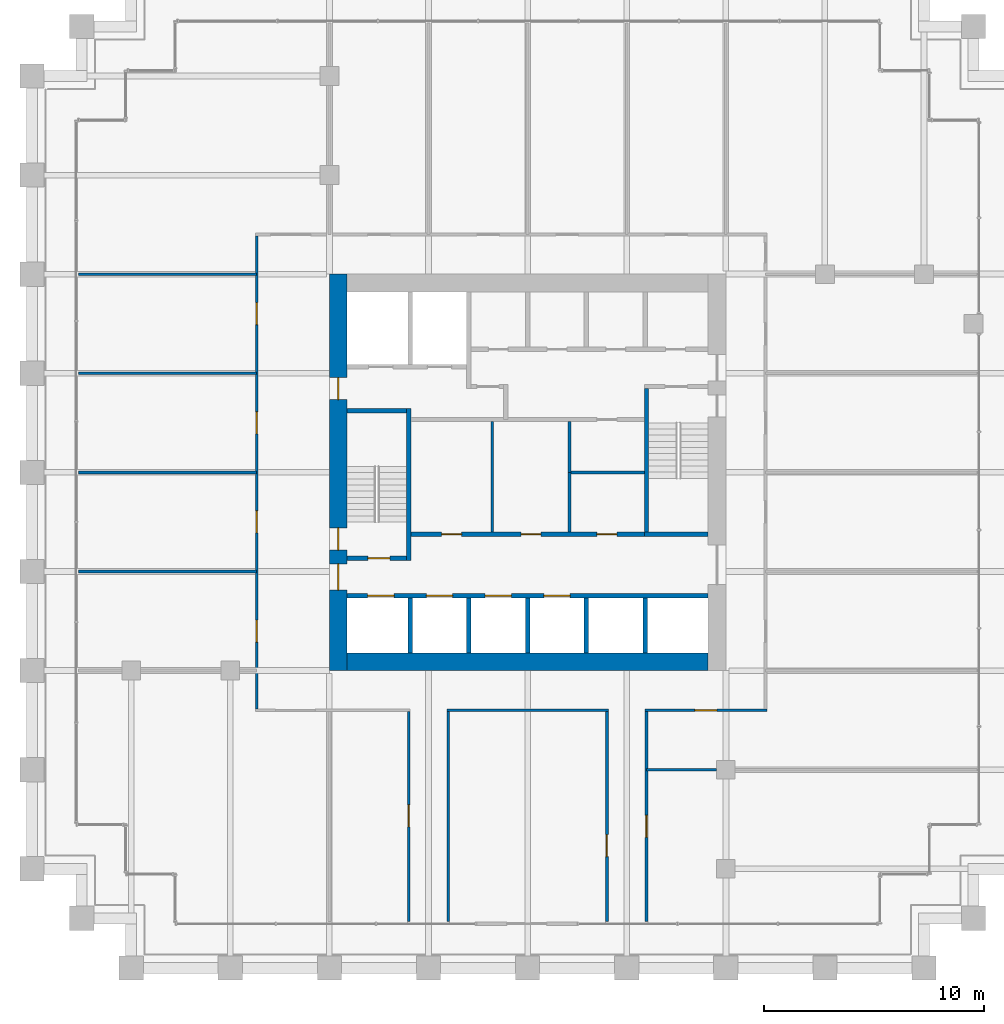
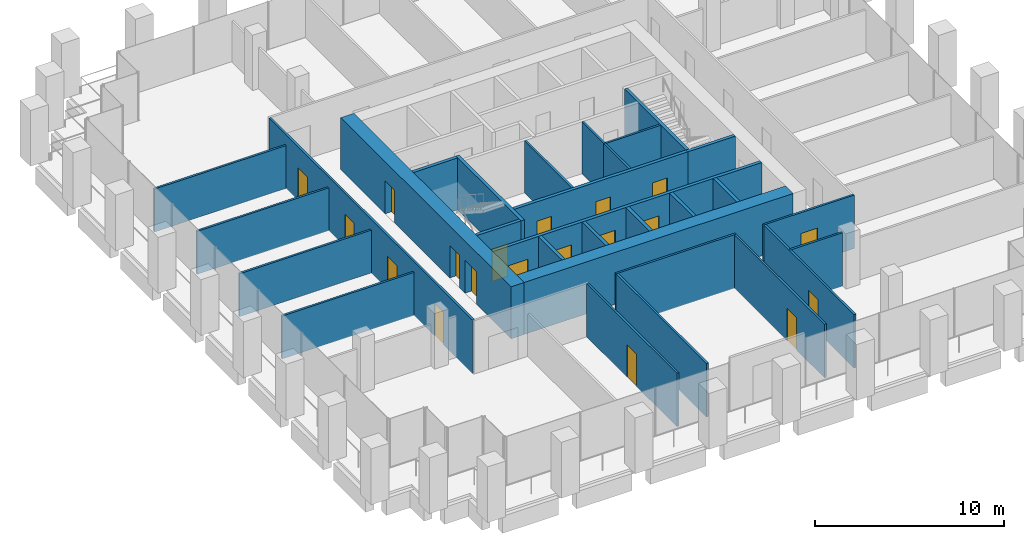
# One storey, part 50 of 56: 30 walls, 19 doors, 19 openings.
"""IFC4 building model written with IfcOpenShell, lengths in metres."""

import ifcopenshell
import ifcopenshell.guid

model = None  # the IFC model being written
_history = None  # IfcOwnerHistory: only IFC2X3 demands one
_inside = {}  # id of a spatial element -> (the spatial element, [elements in it])
_under = {}  # id of a project, library or spatial element -> (it, [spatial elements below it])
_declared = {}  # id of a project -> (the project, [libraries it declares])
_typed = {}  # id of a type object -> (the type object, [elements of that type])
_made_of = {}  # id of a material, layer set ... -> (it, [elements and type objects made of it])


def new_model(schema):
    """Start an empty IFC model of exactly this schema.

    Asked for "IFC4X3", IfcOpenShell would pick the latest addendum, in which some entities
    have other attributes; the version numbers below select the first issue.
    IFC2X3 requires an IfcOwnerHistory on every rooted entity: one is made here for all.
    """
    global model, _history
    if schema == "IFC4X3":
        model = ifcopenshell.file(schema_version=(4, 3, 0, 0))
    else:
        model = ifcopenshell.file(schema=schema)
    _inside.clear()
    _under.clear()
    _declared.clear()
    _typed.clear()
    _made_of.clear()
    _history = None
    if model.schema == "IFC2X3":
        org = make("IfcOrganization", Name="unknown")
        user = make(
            "IfcPersonAndOrganization",
            ThePerson=make("IfcPerson", FamilyName="unknown"),
            TheOrganization=org,
        )
        app = make(
            "IfcApplication",
            ApplicationDeveloper=org,
            Version="unknown",
            ApplicationFullName="unknown",
            ApplicationIdentifier="unknown",
        )
        _history = make(
            "IfcOwnerHistory",
            OwningUser=user,
            OwningApplication=app,
            ChangeAction="ADDED",
            CreationDate=0,
        )
    return model


def make(cls, **values):
    """One entity of the class cls with the attributes given. An attribute that is None is left unset."""
    return model.create_entity(
        cls, **{name: value for name, value in values.items() if value is not None}
    )


def rooted(cls, **values):
    """An entity with a GlobalId (a new one), such as an element, a storey or a relation."""
    return make(cls, GlobalId=ifcopenshell.guid.new(), OwnerHistory=_history, **values)


def si_unit(unit_type, name, prefix=None):
    """IfcSIUnit, for example si_unit("LENGTHUNIT", "METRE", prefix="MILLI")."""
    return make("IfcSIUnit", UnitType=unit_type, Prefix=prefix, Name=name)


def assignment(units):
    """IfcUnitAssignment: the units of a project."""
    return None if units is None else make("IfcUnitAssignment", Units=units)


def point(xyz):
    """IfcCartesianPoint."""
    return None if xyz is None else make("IfcCartesianPoint", Coordinates=xyz)


def direction(xyz):
    """IfcDirection."""
    return None if xyz is None else make("IfcDirection", DirectionRatios=xyz)


def frame(location, z_axis=None, x_axis=None):
    """IfcAxis2Placement3D, a coordinate frame: its origin and axes. An axis left out is left unset."""
    return make(
        "IfcAxis2Placement3D",
        Location=point(location),
        Axis=direction(z_axis),
        RefDirection=direction(x_axis),
    )


def frame_2d(location, x_axis=None):
    """IfcAxis2Placement2D, a coordinate frame in the plane: its origin and x axis."""
    return make(
        "IfcAxis2Placement2D", Location=point(location), RefDirection=direction(x_axis)
    )


def origin():
    """The frame at (0, 0, 0) with its axes left unset."""
    return frame((0.0, 0.0, 0.0))


def place(relative_to, where):
    """IfcLocalPlacement: puts the frame where relative to a parent placement (None: the world)."""
    return make(
        "IfcLocalPlacement", PlacementRelTo=relative_to, RelativePlacement=where
    )


def context(
    kind, dimensions, precision=None, world=None, true_north=None, identifier=None
):
    """IfcGeometricRepresentationContext, for example the 3D "Model" context."""
    return make(
        "IfcGeometricRepresentationContext",
        ContextIdentifier=identifier,
        ContextType=kind,
        CoordinateSpaceDimension=dimensions,
        Precision=precision,
        WorldCoordinateSystem=world,
        TrueNorth=true_north,
    )


def subcontext(parent, identifier, kind, view, scale=None):
    """IfcGeometricRepresentationSubContext, for example "Body" below "Model"."""
    return make(
        "IfcGeometricRepresentationSubContext",
        ContextIdentifier=identifier,
        ContextType=kind,
        ParentContext=parent,
        TargetScale=scale,
        TargetView=view,
    )


def project(units=None, contexts=None):
    """IfcProject with its units and contexts."""
    return rooted(
        "IfcProject",
        Name="project",
        RepresentationContexts=contexts,
        UnitsInContext=assignment(units),
    )


def spatial(cls, under=None, at=None, **own):
    """A site, building, storey or space (cls), placed at a placement, below another one or the project."""
    s = rooted(cls, ObjectPlacement=at, **own)
    if under is not None:
        _under.setdefault(under.id(), (under, []))[1].append(s)
    return s


def profile(cls, at=None, kind="AREA", **sizes):
    """A parametric profile (cls). Its sizes go by their IFC names, for example OverallWidth=200.0."""
    return make(cls, ProfileType=kind, Position=at, **sizes)


def rectangle(**sizes):
    """IfcRectangleProfileDef."""
    return profile("IfcRectangleProfileDef", **sizes)


def extrude(swept, where, along, depth):
    """IfcExtrudedAreaSolid: the profile swept, set in the frame where, extruded along a direction by depth."""
    return make(
        "IfcExtrudedAreaSolid",
        SweptArea=swept,
        Position=where,
        ExtrudedDirection=direction(along),
        Depth=depth,
    )


def shape(context_of_items, identifier, shape_type, items):
    """IfcShapeRepresentation: the items that make up one representation, for example the "Body"."""
    return make(
        "IfcShapeRepresentation",
        ContextOfItems=context_of_items,
        RepresentationIdentifier=identifier,
        RepresentationType=shape_type,
        Items=items,
    )


def material(Name=None, Category=None):
    """IfcMaterial."""
    return make("IfcMaterial", Name=Name, Category=Category)


def layer(
    of_material, thickness, ventilated=None, Name=None, Category=None, Priority=None
):
    """IfcMaterialLayer: one layer of a wall or slab, of a material (None: an air gap)."""
    return make(
        "IfcMaterialLayer",
        Material=of_material,
        LayerThickness=thickness,
        IsVentilated=ventilated,
        Name=Name,
        Category=Category,
        Priority=Priority,
    )


def layer_set(layers, Name=None):
    """IfcMaterialLayerSet."""
    return make("IfcMaterialLayerSet", MaterialLayers=layers, LayerSetName=Name)


def made_of(thing, what):
    """Note that an element or type object is made of a material, layer set ...; save() writes the relation."""
    if what is not None:
        _made_of.setdefault(what.id(), (what, []))[1].append(thing)
    return thing


def type_object(cls, material=None, **own):
    """A type object (cls), such as IfcWallType, which elements share."""
    return made_of(rooted(cls, **own), material)


def element(
    cls,
    number,
    at=None,
    inside=None,
    cuts=None,
    type_object=None,
    material=None,
    context=None,
    identifier="Body",
    shape_type=None,
    held_by="IfcProductDefinitionShape",
    body=None,
    shapes=None,
    **own,
):
    """One element of the class cls, such as IfcWall. Its Tag is "e" and its number.

    at: its placement. inside: the storey or other place that contains it. cuts: it is an
    opening in that element (IfcRelVoidsElement). A single representation is given by context,
    identifier, shape_type and body (its items); several are given by shapes. held_by: the class
    of the entity that holds the representations. save() writes the other relations.
    """
    e = rooted(cls, Tag="e%d" % number, ObjectPlacement=at, **own)
    if body is not None:
        shapes = [shape(context, identifier, shape_type, body)]
    if shapes is not None:
        e.Representation = make(held_by, Representations=shapes)
    if inside is not None:
        _inside.setdefault(inside.id(), (inside, []))[1].append(e)
    if cuts is not None:
        rooted(
            "IfcRelVoidsElement", RelatingBuildingElement=cuts, RelatedOpeningElement=e
        )
    if type_object is not None:
        _typed.setdefault(type_object.id(), (type_object, []))[1].append(e)
    return made_of(e, material)


def fill(opening, filler):
    """IfcRelFillsElement: the door or window that sits in an opening."""
    return rooted(
        "IfcRelFillsElement",
        RelatingOpeningElement=opening,
        RelatedBuildingElement=filler,
    )


def aggregate(whole, parts):
    """IfcRelAggregates: a whole, such as a stair, and the parts it consists of."""
    return rooted("IfcRelAggregates", RelatingObject=whole, RelatedObjects=parts)


def save(model, path):
    """Write the relations noted so far, then the file.

    IfcRelAggregates (storeys below a building ...), IfcRelContainedInSpatialStructure (elements
    in a storey), IfcRelDefinesByType, IfcRelAssociatesMaterial and IfcRelDeclares: one each for
    every whole, place, type object, material and project.
    """
    for whole, parts in _under.values():
        aggregate(whole, parts)
    for where, things in _inside.values():
        rooted(
            "IfcRelContainedInSpatialStructure",
            RelatedElements=things,
            RelatingStructure=where,
        )
    for kind, things in _typed.values():
        rooted("IfcRelDefinesByType", RelatedObjects=things, RelatingType=kind)
    for what, things in _made_of.values():
        rooted("IfcRelAssociatesMaterial", RelatedObjects=things, RelatingMaterial=what)
    for by, libraries in _declared.values():
        rooted("IfcRelDeclares", RelatingContext=by, RelatedDefinitions=libraries)
    model.write(path)


model = new_model("IFC4")

# Units and contexts
model_context = context("Model", 3, precision=1e-05, world=origin(), true_north=direction((0.0, 1.0)))
body_context = subcontext(model_context, "Body", "Model", "MODEL_VIEW")
ifc_project = project(units=[si_unit("LENGTHUNIT", "METRE"), si_unit("AREAUNIT", "SQUARE_METRE"), si_unit("VOLUMEUNIT", "CUBIC_METRE"), si_unit("PLANEANGLEUNIT", "RADIAN"), si_unit("MASSUNIT", "GRAM", prefix="KILO")], contexts=[model_context])

# Site, building, storey
site_placement = place(None, origin())
site = spatial("IfcSite", under=ifc_project, at=site_placement, CompositionType="ELEMENT")
building_placement = place(site_placement, origin())
building = spatial("IfcBuilding", under=site, at=building_placement, Name="Altepetl Exchange Towers", CompositionType="ELEMENT")
storey_placement = place(building_placement, frame((0.0, 0.0, 72.60009765625)))
storey = spatial("IfcBuildingStorey", under=building, at=storey_placement, Name="L17", CompositionType="ELEMENT", Elevation=72.60009765625)

# Wall
ifc_material_1 = material(Name="Concrete C70/85", Category="concrete")
ifc_layer_1 = layer(ifc_material_1, 0.800048828125)
ifc_layer_set_1 = layer_set([ifc_layer_1], Name="Concrete C70/85")
wall_type_1 = type_object("IfcWallType", Name="Core wall 800 reinforced concrete", PredefinedType="SHEAR", material=ifc_layer_set_1)
wall_1_placement = place(storey_placement, frame((41.300048828125, 40.89990234375, 0.0)))
element("IfcWall", 1, at=wall_1_placement, inside=storey, type_object=wall_type_1, Name="wall:A:L17:K-coreS", PredefinedType="SHEAR", context=body_context, shape_type="SweptSolid", body=[
    extrude(rectangle(XDim=16.39990234375, YDim=0.800048828125, at=frame_2d((8.199951171875, 0.0))), origin(), (0.0, 0.0, 1.0), 3.349853515625),
])

# Wall, openings, doors
wall_2_placement = place(storey_placement, frame((40.89990234375, 40.5, 0.0), z_axis=(0.0, 0.0, 1.0), x_axis=(0.0, 1.0, 0.0)))
wall_2 = element("IfcWall", 2, at=wall_2_placement, inside=storey, type_object=wall_type_1, Name="wall:A:L17:K-coreW", PredefinedType="SHEAR", context=body_context, shape_type="SweptSolid", body=[
    extrude(rectangle(XDim=18.0, YDim=0.800048828125, at=frame_2d((9.0, 0.0))), origin(), (0.0, 0.0, 1.0), 3.349853515625),
])
opening_1_placement = place(wall_2_placement, frame((3.64990234375, 0.0, 0.0)))
opening_1 = element("IfcOpeningElement", 3, at=opening_1_placement, cuts=wall_2, Name="Opening L17.A62", PredefinedType="OPENING", context=body_context, shape_type="SweptSolid", body=[
    extrude(rectangle(XDim=1.199951171875, YDim=2.10009765625, at=frame_2d((0.60009765625, 1.050048828125))), frame((0.0, 0.41015625, 0.0), z_axis=(0.0, -1.0, 0.0), x_axis=(1.0, 0.0, 0.0)), (0.0, 0.0, 1.0), 0.820068359375),
])
opening_2_placement = place(wall_2_placement, frame((5.47509765625, 0.0, 0.0)))
opening_2 = element("IfcOpeningElement", 4, at=opening_2_placement, cuts=wall_2, Name="Opening L17.A64", PredefinedType="OPENING", context=body_context, shape_type="SweptSolid", body=[
    extrude(rectangle(XDim=1.0, YDim=2.10009765625, at=frame_2d((0.5, 1.050048828125))), frame((0.0, 0.41015625, 0.0), z_axis=(0.0, -1.0, 0.0), x_axis=(1.0, 0.0, 0.0)), (0.0, 0.0, 1.0), 0.820068359375),
])
opening_3_placement = place(wall_2_placement, frame((12.300048828125, 0.0, 0.0)))
opening_3 = element("IfcOpeningElement", 5, at=opening_3_placement, cuts=wall_2, Name="Opening L17.A68", PredefinedType="OPENING", context=body_context, shape_type="SweptSolid", body=[
    extrude(rectangle(XDim=1.0, YDim=2.10009765625, at=frame_2d((0.5, 1.050048828125))), frame((0.0, 0.41015625, 0.0), z_axis=(0.0, -1.0, 0.0), x_axis=(1.0, 0.0, 0.0)), (0.0, 0.0, 1.0), 0.820068359375),
])
ifc_material_2 = material(Name="Steel and timber fire door", Category="steel")
door_type_1 = type_object("IfcDoorType", Name="Fire door 1000 x 2100 stair and lobby", OperationType="SINGLE_SWING_LEFT", PredefinedType="DOOR", material=ifc_material_2)
door_1_placement = place(opening_2_placement, frame((1.0, 0.0, 0.0), x_axis=(-1.0, 0.0, 0.0)))
door_1 = element("IfcDoor", 6, at=door_1_placement, inside=storey, type_object=door_type_1, Name="door:A:L17:K-dS1x", OperationType="SINGLE_SWING_RIGHT", OverallHeight=2.10009765625, OverallWidth=1.0, PredefinedType="DOOR", context=body_context, shape_type="SweptSolid", body=[
    extrude(rectangle(XDim=1.0, YDim=2.10009765625, at=frame_2d((0.5, 1.050048828125))), frame((0.0, 0.02490234375, 0.0), z_axis=(0.0, -1.0, 0.0), x_axis=(1.0, 0.0, 0.0)), (0.0, 0.0, 1.0), 0.050048828125),
])
fill(opening_2, door_1)
door_2_placement = place(opening_3_placement, frame((1.0, 0.0, 0.0), x_axis=(-1.0, 0.0, 0.0)))
door_2 = element("IfcDoor", 7, at=door_2_placement, inside=storey, type_object=door_type_1, Name="door:A:L17:K-dffW", OperationType="SINGLE_SWING_LEFT", OverallHeight=2.10009765625, OverallWidth=1.0, PredefinedType="DOOR", context=body_context, shape_type="SweptSolid", body=[
    extrude(rectangle(XDim=1.0, YDim=2.10009765625, at=frame_2d((0.5, 1.050048828125))), frame((0.0, 0.02490234375, 0.0), z_axis=(0.0, -1.0, 0.0), x_axis=(1.0, 0.0, 0.0)), (0.0, 0.0, 1.0), 0.050048828125),
])
fill(opening_3, door_2)
door_type_2 = type_object("IfcDoorType", Name="Fire door 1200 x 2100 lobby entry", OperationType="SINGLE_SWING_LEFT", PredefinedType="DOOR", material=ifc_material_2)
door_3_placement = place(opening_1_placement, frame((1.199951171875, 0.0, 0.0), x_axis=(-1.0, 0.0, 0.0)))
door_3 = element("IfcDoor", 8, at=door_3_placement, inside=storey, type_object=door_type_2, Name="door:A:L17:K-dLSW", OperationType="SINGLE_SWING_LEFT", OverallHeight=2.10009765625, OverallWidth=1.199951171875, PredefinedType="DOOR", context=body_context, shape_type="SweptSolid", body=[
    extrude(rectangle(XDim=1.199951171875, YDim=2.10009765625, at=frame_2d((0.60009765625, 1.050048828125))), frame((0.0, 0.02490234375, 0.0), z_axis=(0.0, -1.0, 0.0), x_axis=(1.0, 0.0, 0.0)), (0.0, 0.0, 1.0), 0.050048828125),
])
fill(opening_1, door_3)

ifc_material_3 = material(Name="Concrete blockwork", Category="masonry")
ifc_layer_2 = layer(ifc_material_3, 0.199951171875)
ifc_layer_set_2 = layer_set([ifc_layer_2], Name="Concrete blockwork")
wall_type_2 = type_object("IfcWallType", Name="Lobby wall 200 blockwork", PredefinedType="PARTITIONING", material=ifc_layer_set_2)
wall_3_placement = place(storey_placement, frame((44.199951171875, 46.699951171875, 0.0)))
wall_3 = element("IfcWall", 9, at=wall_3_placement, inside=storey, type_object=wall_type_2, Name="wall:A:L17:K-zoneS", PredefinedType="PARTITIONING", context=body_context, shape_type="SweptSolid", body=[
    extrude(rectangle(XDim=10.60009765625, YDim=0.199951171875, at=frame_2d((5.300048828125, 0.0))), origin(), (0.0, 0.0, 1.0), 3.349853515625),
])
opening_4_placement = place(wall_3_placement, frame((1.39990234375, 0.0, 0.0)))
opening_4 = element("IfcOpeningElement", 10, at=opening_4_placement, cuts=wall_3, Name="Opening L17.A73", PredefinedType="OPENING", context=body_context, shape_type="SweptSolid", body=[
    extrude(rectangle(XDim=0.89990234375, YDim=2.10009765625, at=frame_2d((0.449951171875, 1.050048828125))), frame((0.0, 0.10986328125, 0.0), z_axis=(0.0, -1.0, 0.0), x_axis=(1.0, 0.0, 0.0)), (0.0, 0.0, 1.0), 0.219970703125),
])
opening_5_placement = place(wall_3_placement, frame((5.0, 0.0, 0.0)))
opening_5 = element("IfcOpeningElement", 11, at=opening_5_placement, cuts=wall_3, Name="Opening L17.A74", PredefinedType="OPENING", context=body_context, shape_type="SweptSolid", body=[
    extrude(rectangle(XDim=0.89990234375, YDim=2.10009765625, at=frame_2d((0.449951171875, 1.050048828125))), frame((0.0, 0.10986328125, 0.0), z_axis=(0.0, -1.0, 0.0), x_axis=(1.0, 0.0, 0.0)), (0.0, 0.0, 1.0), 0.219970703125),
])
opening_6_placement = place(wall_3_placement, frame((8.449951171875, 0.0, 0.0)))
opening_6 = element("IfcOpeningElement", 12, at=opening_6_placement, cuts=wall_3, Name="Opening L17.A75", PredefinedType="OPENING", context=body_context, shape_type="SweptSolid", body=[
    extrude(rectangle(XDim=0.89990234375, YDim=2.10009765625, at=frame_2d((0.449951171875, 1.050048828125))), frame((0.0, 0.10986328125, 0.0), z_axis=(0.0, -1.0, 0.0), x_axis=(1.0, 0.0, 0.0)), (0.0, 0.0, 1.0), 0.219970703125),
])
door_type_3 = type_object("IfcDoorType", Name="Fire door 900 x 2100 service room", OperationType="SINGLE_SWING_LEFT", PredefinedType="DOOR", material=ifc_material_2)
door_4_placement = place(opening_4_placement, origin())
door_4 = element("IfcDoor", 13, at=door_4_placement, inside=storey, type_object=door_type_3, Name="door:A:L17:K-dz1", OperationType="SINGLE_SWING_LEFT", OverallHeight=2.10009765625, OverallWidth=0.89990234375, PredefinedType="DOOR", context=body_context, shape_type="SweptSolid", body=[
    extrude(rectangle(XDim=0.89990234375, YDim=2.10009765625, at=frame_2d((0.449951171875, 1.050048828125))), frame((0.0, 0.02490234375, 0.0), z_axis=(0.0, -1.0, 0.0), x_axis=(1.0, 0.0, 0.0)), (0.0, 0.0, 1.0), 0.050048828125),
])
fill(opening_4, door_4)
door_5_placement = place(opening_5_placement, origin())
door_5 = element("IfcDoor", 14, at=door_5_placement, inside=storey, type_object=door_type_3, Name="door:A:L17:K-dz2", OperationType="SINGLE_SWING_RIGHT", OverallHeight=2.10009765625, OverallWidth=0.89990234375, PredefinedType="DOOR", context=body_context, shape_type="SweptSolid", body=[
    extrude(rectangle(XDim=0.89990234375, YDim=2.10009765625, at=frame_2d((0.449951171875, 1.050048828125))), frame((0.0, 0.02490234375, 0.0), z_axis=(0.0, -1.0, 0.0), x_axis=(1.0, 0.0, 0.0)), (0.0, 0.0, 1.0), 0.050048828125),
])
fill(opening_5, door_5)
door_6_placement = place(opening_6_placement, origin())
door_6 = element("IfcDoor", 15, at=door_6_placement, inside=storey, type_object=door_type_3, Name="door:A:L17:K-dz3", OperationType="SINGLE_SWING_RIGHT", OverallHeight=2.10009765625, OverallWidth=0.89990234375, PredefinedType="DOOR", context=body_context, shape_type="SweptSolid", body=[
    extrude(rectangle(XDim=0.89990234375, YDim=2.10009765625, at=frame_2d((0.449951171875, 1.050048828125))), frame((0.0, 0.02490234375, 0.0), z_axis=(0.0, -1.0, 0.0), x_axis=(1.0, 0.0, 0.0)), (0.0, 0.0, 1.0), 0.050048828125),
])
fill(opening_6, door_6)

# Walls
ifc_material_4 = material(Name="Gypsum board on steel studs", Category="steel")
ifc_layer_3 = layer(ifc_material_4, 0.125)
ifc_layer_set_3 = layer_set([ifc_layer_3], Name="Gypsum board on steel studs")
wall_type_3 = type_object("IfcWallType", Name="Partition 125 gypsum board on steel studs", PredefinedType="PARTITIONING", material=ifc_layer_set_3)
wall_4_placement = place(storey_placement, frame((47.89990234375, 46.800048828125, 0.0), z_axis=(0.0, 0.0, 1.0), x_axis=(0.0, 1.0, 0.0)))
element("IfcWall", 16, at=wall_4_placement, inside=storey, type_object=wall_type_3, Name="wall:A:L17:K-zp1", PredefinedType="PARTITIONING", context=body_context, shape_type="SweptSolid", body=[
    extrude(rectangle(XDim=5.0, YDim=0.125, at=frame_2d((2.5, 0.0))), origin(), (0.0, 0.0, 1.0), 3.349853515625),
])
wall_5_placement = place(storey_placement, frame((51.39990234375, 46.800048828125, 0.0), z_axis=(0.0, 0.0, 1.0), x_axis=(0.0, 1.0, 0.0)))
element("IfcWall", 17, at=wall_5_placement, inside=storey, type_object=wall_type_3, Name="wall:A:L17:K-zp2", PredefinedType="PARTITIONING", context=body_context, shape_type="SweptSolid", body=[
    extrude(rectangle(XDim=2.762451171875, YDim=0.125, at=frame_2d((1.38134765625, 0.0))), origin(), (0.0, 0.0, 1.0), 3.349853515625),
])
wall_6_placement = place(storey_placement, frame((54.800048828125, 49.5, 0.0), z_axis=(0.0, 0.0, 1.0), x_axis=(-1.0, 0.0, 0.0)))
element("IfcWall", 18, at=wall_6_placement, inside=storey, type_object=wall_type_3, Name="wall:A:L17:K-zp3", PredefinedType="PARTITIONING", context=body_context, shape_type="SweptSolid", body=[
    extrude(rectangle(XDim=3.337646484375, YDim=0.125, at=frame_2d((1.6689453125, 0.0))), origin(), (0.0, 0.0, 1.0), 3.349853515625),
])
wall_7_placement = place(storey_placement, frame((51.39990234375, 49.5, 0.0), z_axis=(0.0, 0.0, 1.0), x_axis=(0.0, 1.0, 0.0)))
element("IfcWall", 19, at=wall_7_placement, inside=storey, type_object=wall_type_3, Name="wall:A:L17:K-zp4", PredefinedType="PARTITIONING", context=body_context, shape_type="SweptSolid", body=[
    extrude(rectangle(XDim=2.300048828125, YDim=0.125, at=frame_2d((1.14990234375, 0.0))), origin(), (0.0, 0.0, 1.0), 3.349853515625),
])
wall_8_placement = place(storey_placement, frame((54.89990234375, 36.0, 0.0)))
element("IfcWall", 20, at=wall_8_placement, inside=storey, type_object=wall_type_3, Name="wall:A:L17:P01", PredefinedType="PARTITIONING", context=body_context, shape_type="SweptSolid", body=[
    extrude(rectangle(XDim=3.175048828125, YDim=0.125, at=frame_2d((1.58740234375, 0.0))), origin(), (0.0, 0.0, 1.0), 3.449951171875),
])
wall_9_placement = place(storey_placement, frame((45.83740234375, 38.699951171875, 0.0)))
element("IfcWall", 21, at=wall_9_placement, inside=storey, type_object=wall_type_3, Name="wall:A:L17:P04", PredefinedType="PARTITIONING", context=body_context, shape_type="SweptSolid", body=[
    extrude(rectangle(XDim=7.3251953125, YDim=0.125, at=frame_2d((3.66259765625, 0.0))), origin(), (0.0, 0.0, 1.0), 3.449951171875),
])

# Wall, opening, door
wall_10_placement = place(storey_placement, frame((54.83740234375, 38.699951171875, 0.0)))
wall_10 = element("IfcWall", 22, at=wall_10_placement, inside=storey, type_object=wall_type_3, Name="wall:A:L17:P05", PredefinedType="PARTITIONING", context=body_context, shape_type="SweptSolid", body=[
    extrude(rectangle(XDim=5.525146484375, YDim=0.125, at=frame_2d((2.7626953125, 0.0))), origin(), (0.0, 0.0, 1.0), 3.449951171875),
])
opening_7_placement = place(wall_10_placement, frame((2.262451171875, 0.0, 0.0)))
opening_7 = element("IfcOpeningElement", 23, at=opening_7_placement, cuts=wall_10, Name="Opening L17.A07", PredefinedType="OPENING", context=body_context, shape_type="SweptSolid", body=[
    extrude(rectangle(XDim=1.0, YDim=2.10009765625, at=frame_2d((0.5, 1.050048828125))), frame((0.0, 0.072509765625, 0.0), z_axis=(0.0, -1.0, 0.0), x_axis=(1.0, 0.0, 0.0)), (0.0, 0.0, 1.0), 0.14501953125),
])
door_type_4 = type_object("IfcDoorType", Name="Fire door 1000 x 2100 single leaf", OperationType="SINGLE_SWING_LEFT", PredefinedType="DOOR", material=ifc_material_2)
door_7_placement = place(opening_7_placement, frame((1.0, 0.0, 0.0), x_axis=(-1.0, 0.0, 0.0)))
door_7 = element("IfcDoor", 24, at=door_7_placement, inside=storey, type_object=door_type_4, Name="door:A:L17:07", OperationType="SINGLE_SWING_RIGHT", OverallHeight=2.10009765625, OverallWidth=1.0, PredefinedType="DOOR", context=body_context, shape_type="SweptSolid", body=[
    extrude(rectangle(XDim=1.0, YDim=2.10009765625, at=frame_2d((0.5, 1.050048828125))), frame((0.0, 0.02490234375, 0.0), z_axis=(0.0, -1.0, 0.0), x_axis=(1.0, 0.0, 0.0)), (0.0, 0.0, 1.0), 0.050048828125),
])
fill(opening_7, door_7)

# Walls
for number, where, name in (
    (25, (29.10009765625, 45.0, 0.0), "wall:A:L17:P10"),
    (26, (29.10009765625, 49.5, 0.0), "wall:A:L17:P12"),
    (27, (29.10009765625, 54.0, 0.0), "wall:A:L17:P14"),
    (28, (29.10009765625, 58.5, 0.0), "wall:A:L17:P16"),
):
    element("IfcWall", number, at=place(storey_placement, frame(where)), inside=storey, type_object=wall_type_3, Name=name, PredefinedType="PARTITIONING", context=body_context, shape_type="SweptSolid", body=[
        extrude(rectangle(XDim=8.099853515625, YDim=0.125, at=frame_2d((4.0498046875, 0.0))), origin(), (0.0, 0.0, 1.0), 2.765869140625),
    ])

# Wall, openings, doors
wall_11_placement = place(storey_placement, frame((37.199951171875, 38.762451171875, 0.0), z_axis=(0.0, 0.0, 1.0), x_axis=(0.0, 1.0, 0.0)))
wall_11 = element("IfcWall", 29, at=wall_11_placement, inside=storey, type_object=wall_type_3, Name="wall:A:L17:P21", PredefinedType="PARTITIONING", context=body_context, shape_type="SweptSolid", body=[
    extrude(rectangle(XDim=21.47509765625, YDim=0.125, at=frame_2d((10.737548828125, 0.0))), origin(), (0.0, 0.0, 1.0), 3.449951171875),
])
opening_8_placement = place(wall_11_placement, frame((7.987548828125, 0.0, 0.0)))
opening_8 = element("IfcOpeningElement", 30, at=opening_8_placement, cuts=wall_11, Name="Opening L17.A01", PredefinedType="OPENING", context=body_context, shape_type="SweptSolid", body=[
    extrude(rectangle(XDim=1.0, YDim=2.10009765625, at=frame_2d((0.5, 1.050048828125))), frame((0.0, 0.072509765625, 0.0), z_axis=(0.0, -1.0, 0.0), x_axis=(1.0, 0.0, 0.0)), (0.0, 0.0, 1.0), 0.14501953125),
])
opening_9_placement = place(wall_11_placement, frame((3.032470703125, 0.0, 0.0)))
opening_9 = element("IfcOpeningElement", 31, at=opening_9_placement, cuts=wall_11, Name="Opening L17.A02", PredefinedType="OPENING", context=body_context, shape_type="SweptSolid", body=[
    extrude(rectangle(XDim=1.0, YDim=2.10009765625, at=frame_2d((0.5, 1.050048828125))), frame((0.0, 0.072509765625, 0.0), z_axis=(0.0, -1.0, 0.0), x_axis=(1.0, 0.0, 0.0)), (0.0, 0.0, 1.0), 0.14501953125),
])
opening_10_placement = place(wall_11_placement, frame((17.4423828125, 0.0, 0.0)))
opening_10 = element("IfcOpeningElement", 32, at=opening_10_placement, cuts=wall_11, Name="Opening L17.A18", PredefinedType="OPENING", context=body_context, shape_type="SweptSolid", body=[
    extrude(rectangle(XDim=1.0, YDim=2.10009765625, at=frame_2d((0.5, 1.050048828125))), frame((0.0, 0.072509765625, 0.0), z_axis=(0.0, -1.0, 0.0), x_axis=(1.0, 0.0, 0.0)), (0.0, 0.0, 1.0), 0.14501953125),
])
opening_11_placement = place(wall_11_placement, frame((12.487548828125, 0.0, 0.0)))
opening_11 = element("IfcOpeningElement", 33, at=opening_11_placement, cuts=wall_11, Name="Opening L17.A19", PredefinedType="OPENING", context=body_context, shape_type="SweptSolid", body=[
    extrude(rectangle(XDim=1.0, YDim=2.10009765625, at=frame_2d((0.5, 1.050048828125))), frame((0.0, 0.072509765625, 0.0), z_axis=(0.0, -1.0, 0.0), x_axis=(1.0, 0.0, 0.0)), (0.0, 0.0, 1.0), 0.14501953125),
])
door_8_placement = place(opening_8_placement, origin())
door_8 = element("IfcDoor", 34, at=door_8_placement, inside=storey, type_object=door_type_4, Name="door:A:L17:01", OperationType="SINGLE_SWING_RIGHT", OverallHeight=2.10009765625, OverallWidth=1.0, PredefinedType="DOOR", context=body_context, shape_type="SweptSolid", body=[
    extrude(rectangle(XDim=1.0, YDim=2.10009765625, at=frame_2d((0.5, 1.050048828125))), frame((0.0, 0.02490234375, 0.0), z_axis=(0.0, -1.0, 0.0), x_axis=(1.0, 0.0, 0.0)), (0.0, 0.0, 1.0), 0.050048828125),
])
fill(opening_8, door_8)
door_9_placement = place(opening_9_placement, origin())
door_9 = element("IfcDoor", 35, at=door_9_placement, inside=storey, type_object=door_type_4, Name="door:A:L17:02", OperationType="SINGLE_SWING_LEFT", OverallHeight=2.10009765625, OverallWidth=1.0, PredefinedType="DOOR", context=body_context, shape_type="SweptSolid", body=[
    extrude(rectangle(XDim=1.0, YDim=2.10009765625, at=frame_2d((0.5, 1.050048828125))), frame((0.0, 0.02490234375, 0.0), z_axis=(0.0, -1.0, 0.0), x_axis=(1.0, 0.0, 0.0)), (0.0, 0.0, 1.0), 0.050048828125),
])
fill(opening_9, door_9)
door_10_placement = place(opening_10_placement, origin())
door_10 = element("IfcDoor", 36, at=door_10_placement, inside=storey, type_object=door_type_4, Name="door:A:L17:18", OperationType="SINGLE_SWING_LEFT", OverallHeight=2.10009765625, OverallWidth=1.0, PredefinedType="DOOR", context=body_context, shape_type="SweptSolid", body=[
    extrude(rectangle(XDim=1.0, YDim=2.10009765625, at=frame_2d((0.5, 1.050048828125))), frame((0.0, 0.02490234375, 0.0), z_axis=(0.0, -1.0, 0.0), x_axis=(1.0, 0.0, 0.0)), (0.0, 0.0, 1.0), 0.050048828125),
])
fill(opening_10, door_10)
door_11_placement = place(opening_11_placement, origin())
door_11 = element("IfcDoor", 37, at=door_11_placement, inside=storey, type_object=door_type_4, Name="door:A:L17:19", OperationType="SINGLE_SWING_RIGHT", OverallHeight=2.10009765625, OverallWidth=1.0, PredefinedType="DOOR", context=body_context, shape_type="SweptSolid", body=[
    extrude(rectangle(XDim=1.0, YDim=2.10009765625, at=frame_2d((0.5, 1.050048828125))), frame((0.0, 0.02490234375, 0.0), z_axis=(0.0, -1.0, 0.0), x_axis=(1.0, 0.0, 0.0)), (0.0, 0.0, 1.0), 0.050048828125),
])
fill(opening_11, door_11)

# Wall, opening, door
wall_12_placement = place(storey_placement, frame((44.10009765625, 29.10009765625, 0.0), z_axis=(0.0, 0.0, 1.0), x_axis=(0.0, 1.0, 0.0)))
wall_12 = element("IfcWall", 38, at=wall_12_placement, inside=storey, type_object=wall_type_3, Name="wall:A:L17:P26", PredefinedType="PARTITIONING", context=body_context, shape_type="SweptSolid", body=[
    extrude(rectangle(XDim=9.537353515625, YDim=0.125, at=frame_2d((4.7685546875, 0.0))), origin(), (0.0, 0.0, 1.0), 3.449951171875),
])
opening_12_placement = place(wall_12_placement, frame((4.300048828125, 0.0, 0.0)))
opening_12 = element("IfcOpeningElement", 39, at=opening_12_placement, cuts=wall_12, Name="Opening L17.A04", PredefinedType="OPENING", context=body_context, shape_type="SweptSolid", body=[
    extrude(rectangle(XDim=1.0, YDim=2.10009765625, at=frame_2d((0.5, 1.050048828125))), frame((0.0, 0.072509765625, 0.0), z_axis=(0.0, -1.0, 0.0), x_axis=(1.0, 0.0, 0.0)), (0.0, 0.0, 1.0), 0.14501953125),
])
door_12_placement = place(opening_12_placement, origin())
door_12 = element("IfcDoor", 40, at=door_12_placement, inside=storey, type_object=door_type_4, Name="door:A:L17:04", OperationType="SINGLE_SWING_LEFT", OverallHeight=2.10009765625, OverallWidth=1.0, PredefinedType="DOOR", context=body_context, shape_type="SweptSolid", body=[
    extrude(rectangle(XDim=1.0, YDim=2.10009765625, at=frame_2d((0.5, 1.050048828125))), frame((0.0, 0.02490234375, 0.0), z_axis=(0.0, -1.0, 0.0), x_axis=(1.0, 0.0, 0.0)), (0.0, 0.0, 1.0), 0.050048828125),
])
fill(opening_12, door_12)

# Wall
wall_13_placement = place(storey_placement, frame((45.89990234375, 29.10009765625, 0.0), z_axis=(0.0, 0.0, 1.0), x_axis=(0.0, 1.0, 0.0)))
element("IfcWall", 41, at=wall_13_placement, inside=storey, type_object=wall_type_3, Name="wall:A:L17:P28", PredefinedType="PARTITIONING", context=body_context, shape_type="SweptSolid", body=[
    extrude(rectangle(XDim=9.537353515625, YDim=0.125, at=frame_2d((4.7685546875, 0.0))), origin(), (0.0, 0.0, 1.0), 3.449951171875),
])

# Wall, opening, door
wall_14_placement = place(storey_placement, frame((53.10009765625, 29.10009765625, 0.0), z_axis=(0.0, 0.0, 1.0), x_axis=(0.0, 1.0, 0.0)))
wall_14 = element("IfcWall", 42, at=wall_14_placement, inside=storey, type_object=wall_type_3, Name="wall:A:L17:P30", PredefinedType="PARTITIONING", context=body_context, shape_type="SweptSolid", body=[
    extrude(rectangle(XDim=9.537353515625, YDim=0.125, at=frame_2d((4.7685546875, 0.0))), origin(), (0.0, 0.0, 1.0), 3.449951171875),
])
opening_13_placement = place(wall_14_placement, frame((2.952880859375, 0.0, 0.0)))
opening_13 = element("IfcOpeningElement", 43, at=opening_13_placement, cuts=wall_14, Name="Opening L17.A05", PredefinedType="OPENING", context=body_context, shape_type="SweptSolid", body=[
    extrude(rectangle(XDim=1.0, YDim=2.10009765625, at=frame_2d((0.5, 1.050048828125))), frame((0.0, 0.072509765625, 0.0), z_axis=(0.0, -1.0, 0.0), x_axis=(1.0, 0.0, 0.0)), (0.0, 0.0, 1.0), 0.14501953125),
])
door_13_placement = place(opening_13_placement, origin())
door_13 = element("IfcDoor", 44, at=door_13_placement, inside=storey, type_object=door_type_4, Name="door:A:L17:05", OperationType="SINGLE_SWING_RIGHT", OverallHeight=2.10009765625, OverallWidth=1.0, PredefinedType="DOOR", context=body_context, shape_type="SweptSolid", body=[
    extrude(rectangle(XDim=1.0, YDim=2.10009765625, at=frame_2d((0.5, 1.050048828125))), frame((0.0, 0.02490234375, 0.0), z_axis=(0.0, -1.0, 0.0), x_axis=(1.0, 0.0, 0.0)), (0.0, 0.0, 1.0), 0.050048828125),
])
fill(opening_13, door_13)

wall_15_placement = place(storey_placement, frame((54.89990234375, 29.10009765625, 0.0), z_axis=(0.0, 0.0, 1.0), x_axis=(0.0, 1.0, 0.0)))
wall_15 = element("IfcWall", 45, at=wall_15_placement, inside=storey, type_object=wall_type_3, Name="wall:A:L17:P32", PredefinedType="PARTITIONING", context=body_context, shape_type="SweptSolid", body=[
    extrude(rectangle(XDim=9.537353515625, YDim=0.125, at=frame_2d((4.7685546875, 0.0))), origin(), (0.0, 0.0, 1.0), 3.449951171875),
])
opening_14_placement = place(wall_15_placement, frame((3.824951171875, 0.0, 0.0)))
opening_14 = element("IfcOpeningElement", 46, at=opening_14_placement, cuts=wall_15, Name="Opening L17.A06", PredefinedType="OPENING", context=body_context, shape_type="SweptSolid", body=[
    extrude(rectangle(XDim=1.0, YDim=2.10009765625, at=frame_2d((0.5, 1.050048828125))), frame((0.0, 0.072509765625, 0.0), z_axis=(0.0, -1.0, 0.0), x_axis=(1.0, 0.0, 0.0)), (0.0, 0.0, 1.0), 0.14501953125),
])
door_14_placement = place(opening_14_placement, frame((1.0, 0.0, 0.0), x_axis=(-1.0, 0.0, 0.0)))
door_14 = element("IfcDoor", 47, at=door_14_placement, inside=storey, type_object=door_type_4, Name="door:A:L17:06", OperationType="SINGLE_SWING_RIGHT", OverallHeight=2.10009765625, OverallWidth=1.0, PredefinedType="DOOR", context=body_context, shape_type="SweptSolid", body=[
    extrude(rectangle(XDim=1.0, YDim=2.10009765625, at=frame_2d((0.5, 1.050048828125))), frame((0.0, 0.02490234375, 0.0), z_axis=(0.0, -1.0, 0.0), x_axis=(1.0, 0.0, 0.0)), (0.0, 0.0, 1.0), 0.050048828125),
])
fill(opening_14, door_14)

# Walls
ifc_material_5 = material(Name="Concrete C40/50", Category="concrete")
ifc_layer_4 = layer(ifc_material_5, 0.199951171875)
ifc_layer_set_4 = layer_set([ifc_layer_4], Name="Concrete C40/50")
wall_type_4 = type_object("IfcWallType", Name="Shaft wall 200 reinforced concrete", PredefinedType="SHEAR", material=ifc_layer_set_4)
for number, where, z_axis, x_axis, name in (
    (48, (44.166748046875, 41.300048828125, 0.0), (0.0, 0.0, 1.0), (0.0, 1.0, 0.0), "wall:A:L17:K-divS1"),
    (49, (46.833251953125, 41.300048828125, 0.0), (0.0, 0.0, 1.0), (0.0, 1.0, 0.0), "wall:A:L17:K-divS2"),
    (50, (49.5, 41.300048828125, 0.0), (0.0, 0.0, 1.0), (0.0, 1.0, 0.0), "wall:A:L17:K-divS3"),
    (51, (52.166748046875, 41.300048828125, 0.0), (0.0, 0.0, 1.0), (0.0, 1.0, 0.0), "wall:A:L17:K-divS4"),
    (52, (54.833251953125, 41.300048828125, 0.0), (0.0, 0.0, 1.0), (0.0, 1.0, 0.0), "wall:A:L17:K-divS5"),
):
    element("IfcWall", number, at=place(storey_placement, frame(where, z_axis=z_axis, x_axis=x_axis)), inside=storey, type_object=wall_type_4, Name=name, PredefinedType="SHEAR", context=body_context, shape_type="SweptSolid", body=[
        extrude(rectangle(XDim=2.5, YDim=0.199951171875, at=frame_2d((1.25, 0.0))), origin(), (0.0, 0.0, 1.0), 3.349853515625),
    ])

# Wall, openings, doors
wall_16_placement = place(storey_placement, frame((41.300048828125, 43.89990234375, 0.0)))
wall_16 = element("IfcWall", 53, at=wall_16_placement, inside=storey, type_object=wall_type_4, Name="wall:A:L17:K-frontS", PredefinedType="SHEAR", context=body_context, shape_type="SweptSolid", body=[
    extrude(rectangle(XDim=16.39990234375, YDim=0.199951171875, at=frame_2d((8.199951171875, 0.0))), origin(), (0.0, 0.0, 1.0), 3.349853515625),
])
opening_15_placement = place(wall_16_placement, frame((0.933349609375, 0.0, 0.0)))
opening_15 = element("IfcOpeningElement", 54, at=opening_15_placement, cuts=wall_16, Name="Opening L17.A79", PredefinedType="OPENING", context=body_context, shape_type="SweptSolid", body=[
    extrude(rectangle(XDim=1.199951171875, YDim=2.10009765625, at=frame_2d((0.60009765625, 1.050048828125))), frame((0.0, 0.10986328125, 0.0), z_axis=(0.0, -1.0, 0.0), x_axis=(1.0, 0.0, 0.0)), (0.0, 0.0, 1.0), 0.219970703125),
])
opening_16_placement = place(wall_16_placement, frame((3.60009765625, 0.0, 0.0)))
opening_16 = element("IfcOpeningElement", 55, at=opening_16_placement, cuts=wall_16, Name="Opening L17.A80", PredefinedType="OPENING", context=body_context, shape_type="SweptSolid", body=[
    extrude(rectangle(XDim=1.199951171875, YDim=2.10009765625, at=frame_2d((0.60009765625, 1.050048828125))), frame((0.0, 0.10986328125, 0.0), z_axis=(0.0, -1.0, 0.0), x_axis=(1.0, 0.0, 0.0)), (0.0, 0.0, 1.0), 0.219970703125),
])
opening_17_placement = place(wall_16_placement, frame((6.2666015625, 0.0, 0.0)))
opening_17 = element("IfcOpeningElement", 56, at=opening_17_placement, cuts=wall_16, Name="Opening L17.A81", PredefinedType="OPENING", context=body_context, shape_type="SweptSolid", body=[
    extrude(rectangle(XDim=1.199951171875, YDim=2.10009765625, at=frame_2d((0.60009765625, 1.050048828125))), frame((0.0, 0.10986328125, 0.0), z_axis=(0.0, -1.0, 0.0), x_axis=(1.0, 0.0, 0.0)), (0.0, 0.0, 1.0), 0.219970703125),
])
opening_18_placement = place(wall_16_placement, frame((8.933349609375, 0.0, 0.0)))
opening_18 = element("IfcOpeningElement", 57, at=opening_18_placement, cuts=wall_16, Name="Opening L17.A82", PredefinedType="OPENING", context=body_context, shape_type="SweptSolid", body=[
    extrude(rectangle(XDim=1.199951171875, YDim=2.10009765625, at=frame_2d((0.60009765625, 1.050048828125))), frame((0.0, 0.10986328125, 0.0), z_axis=(0.0, -1.0, 0.0), x_axis=(1.0, 0.0, 0.0)), (0.0, 0.0, 1.0), 0.219970703125),
])
ifc_material_6 = material(Name="Stainless steel", Category="steel")
door_type_5 = type_object("IfcDoorType", Name="Lift landing door 1200 x 2100", OperationType="SLIDING_TO_LEFT", PredefinedType="DOOR", material=ifc_material_6)
door_15_placement = place(opening_15_placement, origin())
door_15 = element("IfcDoor", 58, at=door_15_placement, inside=storey, type_object=door_type_5, Name="Landing door P1", OperationType="SLIDING_TO_LEFT", OverallHeight=2.10009765625, OverallWidth=1.199951171875, PredefinedType="DOOR", context=body_context, shape_type="SweptSolid", body=[
    extrude(rectangle(XDim=1.199951171875, YDim=2.10009765625, at=frame_2d((0.60009765625, 1.050048828125))), frame((0.0, 0.02490234375, 0.0), z_axis=(0.0, -1.0, 0.0), x_axis=(1.0, 0.0, 0.0)), (0.0, 0.0, 1.0), 0.050048828125),
])
fill(opening_15, door_15)
door_16_placement = place(opening_16_placement, origin())
door_16 = element("IfcDoor", 59, at=door_16_placement, inside=storey, type_object=door_type_5, Name="Landing door P2", OperationType="SLIDING_TO_LEFT", OverallHeight=2.10009765625, OverallWidth=1.199951171875, PredefinedType="DOOR", context=body_context, shape_type="SweptSolid", body=[
    extrude(rectangle(XDim=1.199951171875, YDim=2.10009765625, at=frame_2d((0.60009765625, 1.050048828125))), frame((0.0, 0.02490234375, 0.0), z_axis=(0.0, -1.0, 0.0), x_axis=(1.0, 0.0, 0.0)), (0.0, 0.0, 1.0), 0.050048828125),
])
fill(opening_16, door_16)
door_17_placement = place(opening_17_placement, origin())
door_17 = element("IfcDoor", 60, at=door_17_placement, inside=storey, type_object=door_type_5, Name="Landing door P3", OperationType="SLIDING_TO_LEFT", OverallHeight=2.10009765625, OverallWidth=1.199951171875, PredefinedType="DOOR", context=body_context, shape_type="SweptSolid", body=[
    extrude(rectangle(XDim=1.199951171875, YDim=2.10009765625, at=frame_2d((0.60009765625, 1.050048828125))), frame((0.0, 0.02490234375, 0.0), z_axis=(0.0, -1.0, 0.0), x_axis=(1.0, 0.0, 0.0)), (0.0, 0.0, 1.0), 0.050048828125),
])
fill(opening_17, door_17)
door_18_placement = place(opening_18_placement, origin())
door_18 = element("IfcDoor", 61, at=door_18_placement, inside=storey, type_object=door_type_5, Name="Landing door P4", OperationType="SLIDING_TO_LEFT", OverallHeight=2.10009765625, OverallWidth=1.199951171875, PredefinedType="DOOR", context=body_context, shape_type="SweptSolid", body=[
    extrude(rectangle(XDim=1.199951171875, YDim=2.10009765625, at=frame_2d((0.60009765625, 1.050048828125))), frame((0.0, 0.02490234375, 0.0), z_axis=(0.0, -1.0, 0.0), x_axis=(1.0, 0.0, 0.0)), (0.0, 0.0, 1.0), 0.050048828125),
])
fill(opening_18, door_18)

# Walls
ifc_layer_5 = layer(ifc_material_5, 0.199951171875)
ifc_layer_set_5 = layer_set([ifc_layer_5], Name="Concrete C40/50")
wall_type_5 = type_object("IfcWallType", Name="Stair wall 200 reinforced concrete", PredefinedType="SHEAR", material=ifc_layer_set_5)
wall_17_placement = place(storey_placement, frame((44.10009765625, 45.5, 0.0), z_axis=(0.0, 0.0, 1.0), x_axis=(0.0, 1.0, 0.0)))
element("IfcWall", 62, at=wall_17_placement, inside=storey, type_object=wall_type_5, Name="wall:A:L17:K-stS1E", PredefinedType="SHEAR", context=body_context, shape_type="SweptSolid", body=[
    extrude(rectangle(XDim=6.89990234375, YDim=0.199951171875, at=frame_2d((3.449951171875, 0.0))), origin(), (0.0, 0.0, 1.0), 3.349853515625),
])
wall_18_placement = place(storey_placement, frame((41.300048828125, 52.300048828125, 0.0)))
element("IfcWall", 63, at=wall_18_placement, inside=storey, type_object=wall_type_5, Name="wall:A:L17:K-stS1N", PredefinedType="SHEAR", context=body_context, shape_type="SweptSolid", body=[
    extrude(rectangle(XDim=2.699951171875, YDim=0.199951171875, at=frame_2d((1.35009765625, 0.0))), origin(), (0.0, 0.0, 1.0), 3.349853515625),
])

# Wall, opening, door
wall_19_placement = place(storey_placement, frame((41.300048828125, 45.60009765625, 0.0)))
wall_19 = element("IfcWall", 64, at=wall_19_placement, inside=storey, type_object=wall_type_5, Name="wall:A:L17:K-stS1S", PredefinedType="SHEAR", context=body_context, shape_type="SweptSolid", body=[
    extrude(rectangle(XDim=2.699951171875, YDim=0.199951171875, at=frame_2d((1.35009765625, 0.0))), origin(), (0.0, 0.0, 1.0), 3.349853515625),
])
opening_19_placement = place(wall_19_placement, frame((0.949951171875, 0.0, 0.0)))
opening_19 = element("IfcOpeningElement", 65, at=opening_19_placement, cuts=wall_19, Name="Opening L17.A63", PredefinedType="OPENING", context=body_context, shape_type="SweptSolid", body=[
    extrude(rectangle(XDim=1.0, YDim=2.10009765625, at=frame_2d((0.5, 1.050048828125))), frame((0.0, 0.10986328125, 0.0), z_axis=(0.0, -1.0, 0.0), x_axis=(1.0, 0.0, 0.0)), (0.0, 0.0, 1.0), 0.219970703125),
])
door_19_placement = place(opening_19_placement, origin())
door_19 = element("IfcDoor", 66, at=door_19_placement, inside=storey, type_object=door_type_1, Name="door:A:L17:K-dS1in", OperationType="SINGLE_SWING_RIGHT", OverallHeight=2.10009765625, OverallWidth=1.0, PredefinedType="DOOR", context=body_context, shape_type="SweptSolid", body=[
    extrude(rectangle(XDim=1.0, YDim=2.10009765625, at=frame_2d((0.5, 1.050048828125))), frame((0.0, 0.02490234375, 0.0), z_axis=(0.0, -1.0, 0.0), x_axis=(1.0, 0.0, 0.0)), (0.0, 0.0, 1.0), 0.050048828125),
])
fill(opening_19, door_19)

# Walls
wall_20_placement = place(storey_placement, frame((54.800048828125, 46.699951171875, 0.0)))
element("IfcWall", 67, at=wall_20_placement, inside=storey, type_object=wall_type_5, Name="wall:A:L17:K-stS2S", PredefinedType="SHEAR", context=body_context, shape_type="SweptSolid", body=[
    extrude(rectangle(XDim=2.89990234375, YDim=0.199951171875, at=frame_2d((1.449951171875, 0.0))), origin(), (0.0, 0.0, 1.0), 3.349853515625),
])
wall_21_placement = place(storey_placement, frame((54.89990234375, 46.800048828125, 0.0), z_axis=(0.0, 0.0, 1.0), x_axis=(0.0, 1.0, 0.0)))
element("IfcWall", 68, at=wall_21_placement, inside=storey, type_object=wall_type_5, Name="wall:A:L17:K-stS2W", PredefinedType="SHEAR", context=body_context, shape_type="SweptSolid", body=[
    extrude(rectangle(XDim=6.5, YDim=0.199951171875, at=frame_2d((3.25, 0.0))), origin(), (0.0, 0.0, 1.0), 3.349853515625),
])

save(model, "model.ifc")
